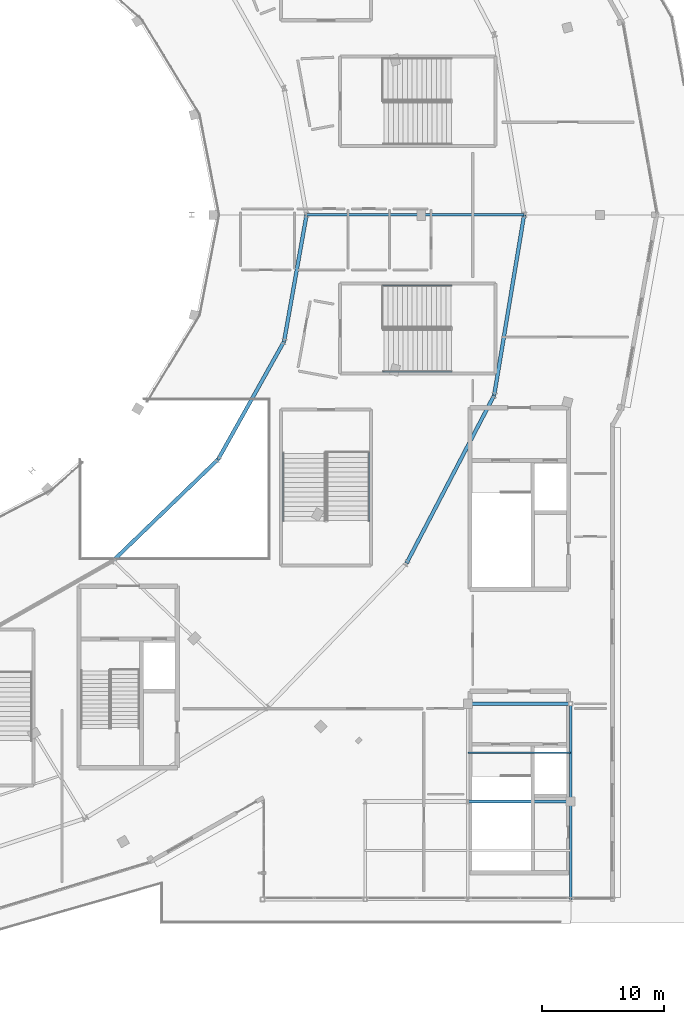
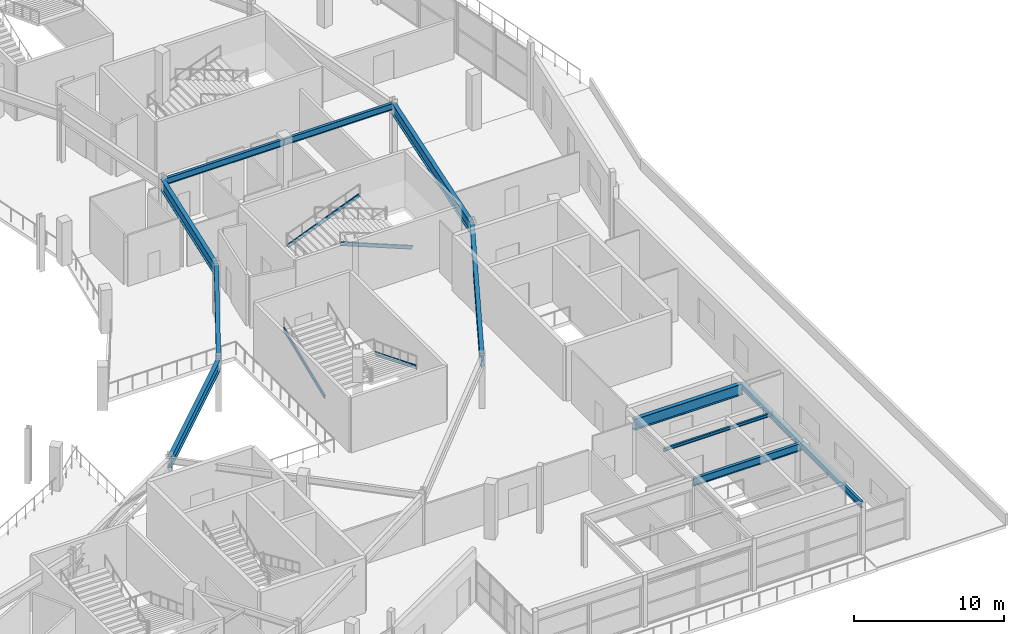
# One storey, part 63 of 123: 12 beams, 4 members.
"""IFC4 building model written with IfcOpenShell, lengths in metres."""

from ifc_helpers import new_model, si_unit, direction, frame, origin, origin_2d, place, context, subcontext, project, spatial, i_section, extrude, material, material_profile, profile_set, type_object, element, save


model = new_model("IFC4")

# Units and contexts
model_context = context("Model", 3, precision=1e-05, world=origin(), true_north=direction((0.0, 1.0)))
body_context = subcontext(model_context, "Body", "Model", "MODEL_VIEW")
ifc_project = project(units=[si_unit("LENGTHUNIT", "METRE"), si_unit("AREAUNIT", "SQUARE_METRE"), si_unit("VOLUMEUNIT", "CUBIC_METRE"), si_unit("PLANEANGLEUNIT", "RADIAN"), si_unit("MASSUNIT", "GRAM", prefix="KILO")], contexts=[model_context])

# Site, building, storey
site_placement = place(None, origin())
site = spatial("IfcSite", under=ifc_project, at=site_placement, CompositionType="ELEMENT")
building_placement = place(site_placement, origin())
building = spatial("IfcBuilding", under=site, at=building_placement, Name="Kalgoora Escarpment Arena", CompositionType="ELEMENT")
storey_placement = place(building_placement, frame((0.0, 0.0, 9.89990234375)))
storey = spatial("IfcBuildingStorey", under=building, at=storey_placement, Name="L02", CompositionType="ELEMENT", Elevation=9.89990234375)

# Beams
ifc_material_1 = material(Name="Structural steel AS/NZS 3679 (300 MPa)", Category="steel")
ifc_material_profile_1 = material_profile(ifc_material_1, i_section(OverallWidth=0.208984375, OverallDepth=0.528076171875, WebThickness=0.009521484375, FlangeThickness=0.01318359375, at=origin_2d()))
ifc_profile_set_1 = profile_set([ifc_material_profile_1], Name="Structural steel AS/NZS 3679 (300 MPa)")
beam_type_1 = type_object("IfcBeamType", Name="BM-GIRDER-530UB82.0", PredefinedType="USERDEFINED", material=ifc_profile_set_1)
for number, where, z_axis, x_axis, name in (
    (1, (168.0, 8.0, 3.99609375), (0.0, 1.0, 0.0), (-1.0, 0.0, 0.0), "L02 Floor girder 530UB82.0"),
    (2, (168.0, 16.0, 3.99609375), (0.0, 1.0, 0.0), (-1.0, 0.0, 0.0), "L02 Floor girder 530UB82.0"),
):
    element("IfcBeam", number, at=place(storey_placement, frame(where, z_axis=z_axis, x_axis=x_axis)), inside=storey, type_object=beam_type_1, Name=name, ObjectType="GIRDER", PredefinedType="USERDEFINED", context=body_context, shape_type="SweptSolid", body=[
        extrude(i_section(OverallWidth=0.208984375, OverallDepth=0.528076171875, WebThickness=0.009521484375, FlangeThickness=0.01318359375, at=origin_2d()), origin(), (0.0, 0.0, 1.0), 8.0),
    ])
beam_1_placement = place(storey_placement, frame((146.39990234375, 64.0, 3.916015625), z_axis=(1.0, 0.0, 0.0), x_axis=(0.0, 1.0, 0.0)))
element("IfcBeam", 3, at=beam_1_placement, inside=storey, type_object=beam_type_1, Name="L02 Radial concourse girder 530UB82.0", ObjectType="GIRDER", PredefinedType="USERDEFINED", context=body_context, shape_type="SweptSolid", body=[
    extrude(i_section(OverallWidth=0.208984375, OverallDepth=0.528076171875, WebThickness=0.009521484375, FlangeThickness=0.01318359375, at=origin_2d()), origin(), (0.0, 0.0, 1.0), 9.400146484375),
])
beam_2_placement = place(storey_placement, frame((155.800048828125, 64.0, 3.916015625), z_axis=(1.0, 0.0, 0.0), x_axis=(0.0, 1.0, 0.0)))
element("IfcBeam", 4, at=beam_2_placement, inside=storey, type_object=beam_type_1, Name="L02 Radial concourse girder 530UB82.0", ObjectType="GIRDER", PredefinedType="USERDEFINED", context=body_context, shape_type="SweptSolid", body=[
    extrude(i_section(OverallWidth=0.208984375, OverallDepth=0.528076171875, WebThickness=0.009521484375, FlangeThickness=0.01318359375, at=origin_2d()), origin(), (0.0, 0.0, 1.0), 8.39990234375),
])
ifc_material_2 = material(Name="Structural steel AS/NZS 3679 (300 MPa)", Category="steel")
ifc_material_profile_2 = material_profile(ifc_material_2, i_section(OverallWidth=0.22900390625, OverallDepth=0.612060546875, WebThickness=0.011962890625, FlangeThickness=0.01953125, at=origin_2d()))
ifc_profile_set_2 = profile_set([ifc_material_profile_2], Name="Structural steel AS/NZS 3679 (300 MPa)")
beam_type_2 = type_object("IfcBeamType", Name="BM-GIRDER-610UB125", PredefinedType="USERDEFINED", material=ifc_profile_set_2)
beam_3_placement = place(storey_placement, frame((159.60009765625, 16.0, 3.9541015625), z_axis=(1.0, 0.0, 0.0), x_axis=(0.0, 1.0, 0.0)))
element("IfcBeam", 5, at=beam_3_placement, inside=storey, type_object=beam_type_2, Name="L02 Floor girder 610UB125", ObjectType="GIRDER", PredefinedType="USERDEFINED", context=body_context, shape_type="SweptSolid", body=[
    extrude(i_section(OverallWidth=0.22900390625, OverallDepth=0.612060546875, WebThickness=0.011962890625, FlangeThickness=0.01953125, at=origin_2d()), origin(), (0.0, 0.0, 1.0), 8.39990234375),
])
ifc_material_3 = material(Name="Structural steel Grade 350 (350 MPa)", Category="steel")
ifc_material_profile_3 = material_profile(ifc_material_3, i_section(OverallWidth=0.300048828125, OverallDepth=0.909912109375, WebThickness=0.011962890625, FlangeThickness=0.028076171875, at=origin_2d()))
ifc_profile_set_3 = profile_set([ifc_material_profile_3], Name="Structural steel Grade 350 (350 MPa)")
beam_type_3 = type_object("IfcBeamType", Name="BM-GIRDER-900WB218", PredefinedType="USERDEFINED", material=ifc_profile_set_3)
beam_4_placement = place(storey_placement, frame((159.60009765625, 24.0, 3.80517578125), z_axis=(1.0, 0.0, 0.0), x_axis=(0.0, 1.0, 0.0)))
element("IfcBeam", 6, at=beam_4_placement, inside=storey, type_object=beam_type_3, Name="L02 Floor girder 900WB218", ObjectType="GIRDER", PredefinedType="USERDEFINED", context=body_context, shape_type="SweptSolid", body=[
    extrude(i_section(OverallWidth=0.300048828125, OverallDepth=0.909912109375, WebThickness=0.011962890625, FlangeThickness=0.028076171875, at=origin_2d()), origin(), (0.0, 0.0, 1.0), 8.39990234375),
])
beam_5_placement = place(storey_placement, frame((130.583740234375, 35.7158203125, 3.72509765625), z_axis=(0.719462119733, 0.694531682696, 0.0), x_axis=(-0.694531682696, 0.719462119733, 0.0)))
element("IfcBeam", 7, at=beam_5_placement, inside=storey, type_object=beam_type_3, Name="L02 Circumferential concourse girder RMAIN 900WB218", ObjectType="GIRDER", PredefinedType="USERDEFINED", context=body_context, shape_type="SweptSolid", body=[
    extrude(i_section(OverallWidth=0.300048828125, OverallDepth=0.909912109375, WebThickness=0.011962890625, FlangeThickness=0.028076171875, at=origin_2d()), origin(), (0.0, 0.0, 1.0), 11.927734375),
])
beam_6_placement = place(storey_placement, frame((139.165283203125, 44.0, 3.72509765625), z_axis=(0.488075296374, 0.872801526734, 0.0), x_axis=(-0.872801526734, 0.488075296374, 0.0)))
element("IfcBeam", 8, at=beam_6_placement, inside=storey, type_object=beam_type_3, Name="L02 Circumferential concourse girder RMAIN 900WB218", ObjectType="GIRDER", PredefinedType="USERDEFINED", context=body_context, shape_type="SweptSolid", body=[
    extrude(i_section(OverallWidth=0.300048828125, OverallDepth=0.909912109375, WebThickness=0.011962890625, FlangeThickness=0.028076171875, at=origin_2d()), origin(), (0.0, 0.0, 1.0), 11.05322265625),
])
beam_7_placement = place(storey_placement, frame((144.56005859375, 53.647216796875, 3.72509765625), z_axis=(0.174973315738, 0.984573175939, 0.0), x_axis=(-0.984573175939, 0.174973315738, 0.0)))
element("IfcBeam", 9, at=beam_7_placement, inside=storey, type_object=beam_type_3, Name="L02 Circumferential concourse girder RMAIN 900WB218", ObjectType="GIRDER", PredefinedType="USERDEFINED", context=body_context, shape_type="SweptSolid", body=[
    extrude(i_section(OverallWidth=0.300048828125, OverallDepth=0.909912109375, WebThickness=0.011962890625, FlangeThickness=0.028076171875, at=origin_2d()), origin(), (0.0, 0.0, 1.0), 10.514892578125),
])
ifc_material_4 = material(Name="Structural steel AS/NZS 3679 (300 MPa)", Category="steel")
ifc_material_profile_4 = material_profile(ifc_material_4, i_section(OverallWidth=0.14599609375, OverallDepth=0.256103515625, WebThickness=0.00634765625, FlangeThickness=0.010986328125, at=origin_2d()))
ifc_profile_set_4 = profile_set([ifc_material_profile_4], Name="Structural steel AS/NZS 3679 (300 MPa)")
beam_type_4 = type_object("IfcBeamType", Name="BM-JOIST-250UB37.3", PredefinedType="JOIST", material=ifc_profile_set_4)
beam_8_placement = place(storey_placement, frame((159.60009765625, 20.0, 4.132080078125), z_axis=(1.0, 0.0, 0.0), x_axis=(0.0, 1.0, 0.0)))
element("IfcBeam", 10, at=beam_8_placement, inside=storey, type_object=beam_type_4, Name="L02 Secondary composite floor joist 250UB37.3", PredefinedType="JOIST", context=body_context, shape_type="SweptSolid", body=[
    extrude(i_section(OverallWidth=0.14599609375, OverallDepth=0.256103515625, WebThickness=0.00634765625, FlangeThickness=0.010986328125, at=origin_2d()), origin(), (0.0, 0.0, 1.0), 8.39990234375),
])
ifc_material_5 = material(Name="Structural steel Grade 350 (350 MPa)", Category="steel")
ifc_material_profile_5 = material_profile(ifc_material_5, i_section(OverallWidth=0.300048828125, OverallDepth=0.909912109375, WebThickness=0.011962890625, FlangeThickness=0.028076171875, at=origin_2d()))
ifc_profile_set_5 = profile_set([ifc_material_profile_5], Name="Structural steel Grade 350 (350 MPa)")
beam_type_5 = type_object("IfcBeamType", Name="BM-SPANDREL-900WB218", PredefinedType="SPANDREL", material=ifc_profile_set_5)
beam_9_placement = place(storey_placement, frame((154.58056640625, 35.5, 3.72509765625), z_axis=(0.462583225327, 0.886575862319, 0.0), x_axis=(-0.886575862319, 0.462583225327, 0.0)))
element("IfcBeam", 11, at=beam_9_placement, inside=storey, type_object=beam_type_5, Name="L02 Circumferential concourse girder RCONC2 900WB218", PredefinedType="SPANDREL", context=body_context, shape_type="SweptSolid", body=[
    extrude(i_section(OverallWidth=0.300048828125, OverallDepth=0.909912109375, WebThickness=0.011962890625, FlangeThickness=0.028076171875, at=origin_2d()), origin(), (0.0, 0.0, 1.0), 15.506103515625),
])
beam_10_placement = place(storey_placement, frame((161.75341796875, 49.247314453125, 3.72509765625), z_axis=(0.163602052226, 0.986526415514, 0.0), x_axis=(-0.986526415514, 0.163602052226, 0.0)))
element("IfcBeam", 12, at=beam_10_placement, inside=storey, type_object=beam_type_5, Name="L02 Circumferential concourse girder RCONC2 900WB218", PredefinedType="SPANDREL", context=body_context, shape_type="SweptSolid", body=[
    extrude(i_section(OverallWidth=0.300048828125, OverallDepth=0.909912109375, WebThickness=0.011962890625, FlangeThickness=0.028076171875, at=origin_2d()), origin(), (0.0, 0.0, 1.0), 14.9541015625),
])

# Members
ifc_material_6 = material(Name="Structural steel AS/NZS 3679 (300 MPa)", Category="steel")
ifc_material_profile_6 = material_profile(ifc_material_6, i_section(OverallWidth=0.090087890625, OverallDepth=0.300048828125, WebThickness=0.008056640625, FlangeThickness=0.01611328125, at=origin_2d()))
ifc_profile_set_6 = profile_set([ifc_material_profile_6], Name="Structural steel AS/NZS 3679 (300 MPa)")
member_type = type_object("IfcMemberType", Name="MEM-STRINGER-PFC", PredefinedType="STRINGER", material=ifc_profile_set_6)
for number, where, z_axis, x_axis, name in (
    (13, (152.68994140625, 58.22998046875, -0.039794921875), (0.926975796404, 0.0, 0.375121144273), (0.0, 1.0, 0.0), "ST22 L02 steel stair stringer 1"),
    (14, (158.25, 51.169921875, 2.210205078125), (-0.926975796404, 0.0, 0.375121144273), (0.0, -1.0, 0.0), "ST22 L02 steel stair stringer 2"),
    (15, (151.530029296875, 44.510009765625, -0.039794921875), (0.0, -0.926975796404, 0.375121144273), (1.0, 0.0, 0.0), "ST24 L02 steel stair stringer 1"),
    (16, (144.469970703125, 38.949951171875, 2.210205078125), (0.0, 0.926975796404, 0.375121144273), (-1.0, 0.0, 0.0), "ST24 L02 steel stair stringer 2"),
):
    element("IfcMember", number, at=place(storey_placement, frame(where, z_axis=z_axis, x_axis=x_axis)), inside=storey, type_object=member_type, Name=name, PredefinedType="STRINGER", context=body_context, shape_type="SweptSolid", body=[
        extrude(i_section(OverallWidth=0.090087890625, OverallDepth=0.300048828125, WebThickness=0.008056640625, FlangeThickness=0.01611328125, at=origin_2d()), origin(), (0.0, 0.0, 1.0), 5.998046875),
    ])

save(model, "model.ifc")
